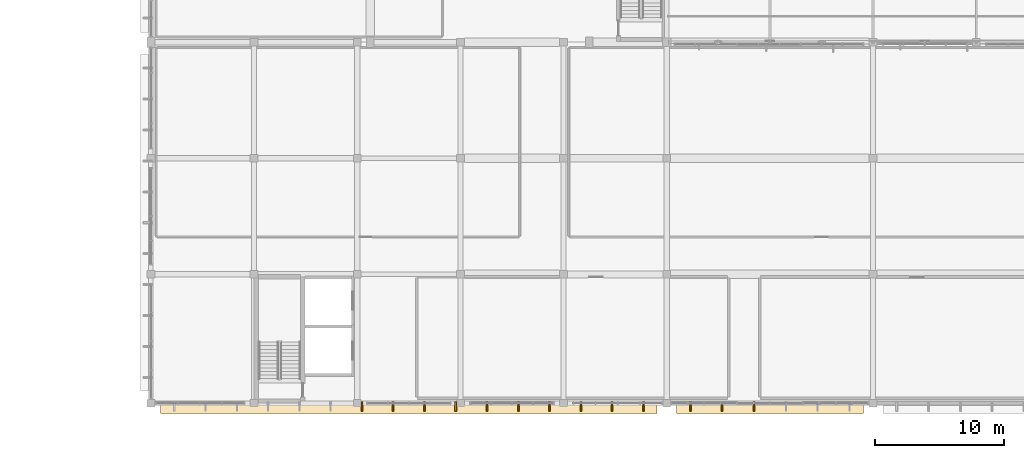
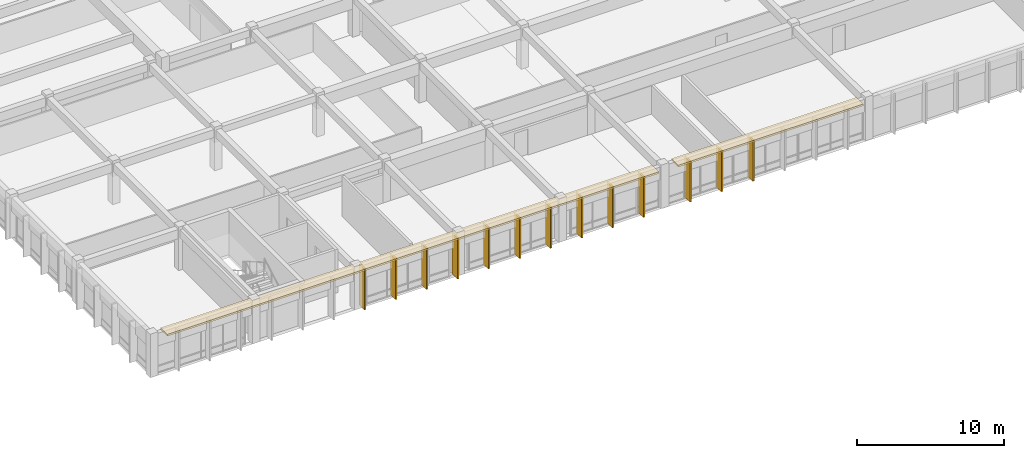
# One storey, part 145 of 155: 15 coverings.
"""IFC4 building model written with IfcOpenShell, lengths in metres."""

from ifc_helpers import new_model, si_unit, direction, frame, origin, origin_2d, place, context, subcontext, project, spatial, rectangle, extrude, material, layer, layer_set, type_object, element, save


model = new_model("IFC4")

# Units and contexts
model_context = context("Model", 3, precision=1e-05, world=origin(), true_north=direction((0.0, 1.0)))
body_context = subcontext(model_context, "Body", "Model", "MODEL_VIEW")
ifc_project = project(units=[si_unit("LENGTHUNIT", "METRE"), si_unit("AREAUNIT", "SQUARE_METRE"), si_unit("VOLUMEUNIT", "CUBIC_METRE"), si_unit("PLANEANGLEUNIT", "RADIAN"), si_unit("MASSUNIT", "GRAM", prefix="KILO")], contexts=[model_context])

# Site, building, storey
site_placement = place(None, origin())
site = spatial("IfcSite", under=ifc_project, at=site_placement, CompositionType="ELEMENT")
building_placement = place(site_placement, origin())
building = spatial("IfcBuilding", under=site, at=building_placement, Name="Larkveld Mobility Hub", CompositionType="ELEMENT")
storey_placement = place(building_placement, frame((0.0, 0.0, 8.39990234375)))
storey = spatial("IfcBuildingStorey", under=building, at=storey_placement, Name="L02", CompositionType="ELEMENT", Elevation=8.39990234375)

# Coverings
ifc_material = material(Name="Precast concrete C50/60", Category="concrete")
ifc_layer_1 = layer(ifc_material, 0.14990234375, Name="Precast concrete C50/60", Category="concrete")
ifc_layer_set_1 = layer_set([ifc_layer_1], Name="Precast concrete C50/60")
covering_type_1 = type_object("IfcCoveringType", Name="COV-QSL-H01", PredefinedType="CLADDING", material=ifc_layer_set_1)
covering_1_placement = place(storey_placement, frame((132.0, -0.340087890625, 3.3701171875), z_axis=(0.0, 0.0, 1.0), x_axis=(1.0, 0.0, 0.0)))
element("IfcCovering", 1, at=covering_1_placement, inside=storey, type_object=covering_type_1, Name="Precast Quebra-Sol Horizontal Sunbreaker QSH-246", PredefinedType="CLADDING", context=body_context, shape_type="SweptSolid", body=[
    extrude(rectangle(XDim=38.5, YDim=0.919921875, at=origin_2d()), origin(), (0.0, 0.0, 1.0), 0.14990234375),
])
covering_2_placement = place(storey_placement, frame((160.0, -0.340087890625, 3.3701171875), z_axis=(0.0, 0.0, 1.0), x_axis=(1.0, 0.0, 0.0)))
element("IfcCovering", 2, at=covering_2_placement, inside=storey, type_object=covering_type_1, Name="Precast Quebra-Sol Horizontal Sunbreaker QSH-263", PredefinedType="CLADDING", context=body_context, shape_type="SweptSolid", body=[
    extrude(rectangle(XDim=14.5, YDim=0.919921875, at=origin_2d()), origin(), (0.0, 0.0, 1.0), 0.14990234375),
])
ifc_layer_2 = layer(ifc_material, 0.1201171875, Name="Precast concrete C50/60", Category="concrete")
ifc_layer_set_2 = layer_set([ifc_layer_2], Name="Precast concrete C50/60")
covering_type_2 = type_object("IfcCoveringType", Name="COV-QSL-V01", PredefinedType="CLADDING", material=ifc_layer_set_2)
for number, where, z_axis, x_axis, name in (
    (3, (128.363037109375, -0.239990234375, -0.019287109375), (0.0, 0.0, 1.0), (1.0, 0.0, 0.0), "Precast Quebra-Sol Vertical Fin QSV-253"),
    (4, (130.787109375, -0.239990234375, -0.019287109375), (0.0, 0.0, 1.0), (1.0, 0.0, 0.0), "Precast Quebra-Sol Vertical Fin QSV-254"),
    (5, (133.212890625, -0.239990234375, -0.019287109375), (0.0, 0.0, 1.0), (1.0, 0.0, 0.0), "Precast Quebra-Sol Vertical Fin QSV-255"),
    (6, (135.636962890625, -0.239990234375, -0.019287109375), (0.0, 0.0, 1.0), (1.0, 0.0, 0.0), "Precast Quebra-Sol Vertical Fin QSV-256"),
    (7, (138.06201171875, -0.239990234375, -0.019287109375), (0.0, 0.0, 1.0), (1.0, 0.0, 0.0), "Precast Quebra-Sol Vertical Fin QSV-257"),
    (8, (140.488037109375, -0.239990234375, -0.019287109375), (0.0, 0.0, 1.0), (1.0, 0.0, 0.0), "Precast Quebra-Sol Vertical Fin QSV-258"),
    (9, (142.912109375, -0.239990234375, -0.019287109375), (0.0, 0.0, 1.0), (1.0, 0.0, 0.0), "Precast Quebra-Sol Vertical Fin QSV-259"),
    (10, (145.337890625, -0.239990234375, -0.019287109375), (0.0, 0.0, 1.0), (1.0, 0.0, 0.0), "Precast Quebra-Sol Vertical Fin QSV-260"),
    (11, (147.761962890625, -0.239990234375, -0.019287109375), (0.0, 0.0, 1.0), (1.0, 0.0, 0.0), "Precast Quebra-Sol Vertical Fin QSV-261"),
    (12, (150.18798828125, -0.239990234375, -0.019287109375), (0.0, 0.0, 1.0), (1.0, 0.0, 0.0), "Precast Quebra-Sol Vertical Fin QSV-262"),
    (13, (153.8330078125, -0.239990234375, -0.019287109375), (0.0, 0.0, 1.0), (1.0, 0.0, 0.0), "Precast Quebra-Sol Vertical Fin QSV-264"),
    (14, (156.300048828125, -0.239990234375, -0.019287109375), (0.0, 0.0, 1.0), (1.0, 0.0, 0.0), "Precast Quebra-Sol Vertical Fin QSV-265"),
    (15, (158.76708984375, -0.239990234375, -0.019287109375), (0.0, 0.0, 1.0), (1.0, 0.0, 0.0), "Precast Quebra-Sol Vertical Fin QSV-266"),
):
    element("IfcCovering", number, at=place(storey_placement, frame(where, z_axis=z_axis, x_axis=x_axis)), inside=storey, type_object=covering_type_2, Name=name, PredefinedType="CLADDING", context=body_context, shape_type="SweptSolid", body=[
        extrude(rectangle(XDim=0.1201171875, YDim=0.719970703125, at=origin_2d()), origin(), (0.0, 0.0, 1.0), 3.375),
    ])

save(model, "model.ifc")
